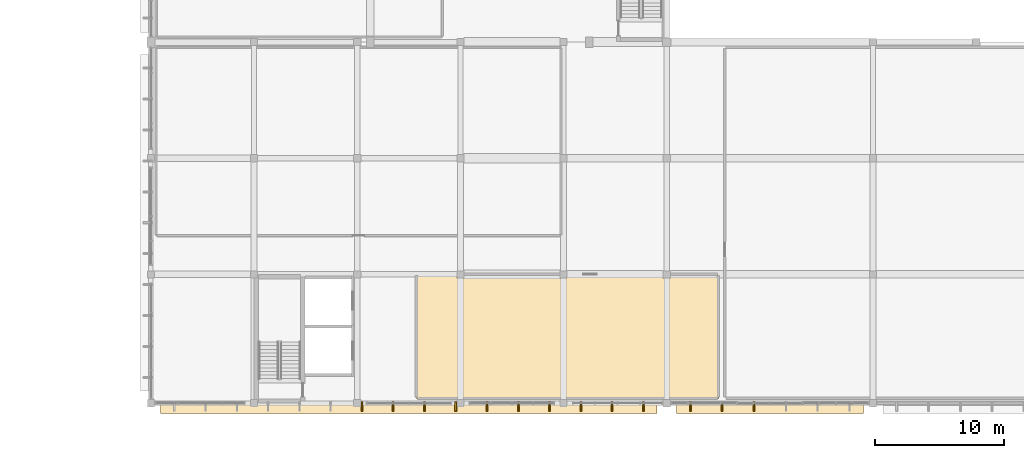
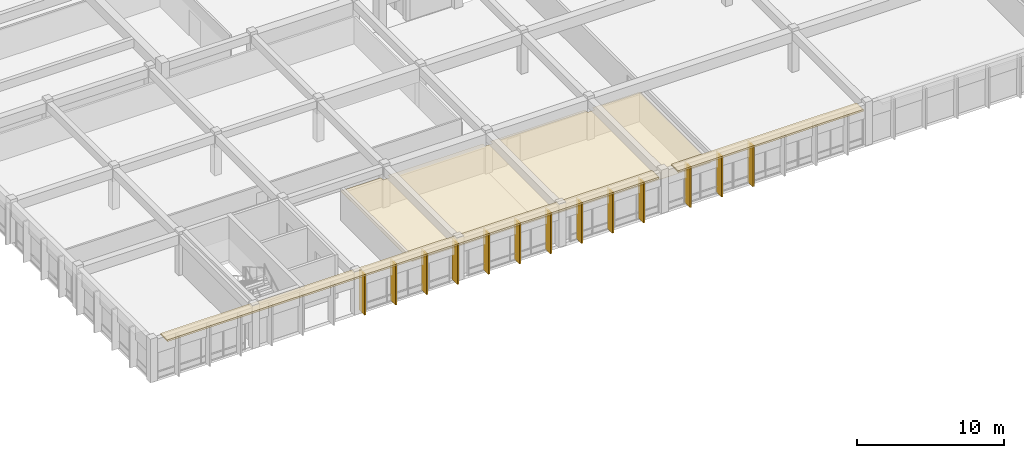
# One storey, part 72 of 77: 16 coverings.
"""IFC4 building model written with IfcOpenShell, lengths in metres."""

from ifc_helpers import new_model, si_unit, direction, frame, origin, origin_2d, place, context, subcontext, project, spatial, polyline, rectangle, outline, extrude, material, layer, layer_set, type_object, element, save


model = new_model("IFC4")

# Units and contexts
model_context = context("Model", 3, precision=1e-05, world=origin(), true_north=direction((0.0, 1.0)))
body_context = subcontext(model_context, "Body", "Model", "MODEL_VIEW")
ifc_project = project(units=[si_unit("LENGTHUNIT", "METRE"), si_unit("AREAUNIT", "SQUARE_METRE"), si_unit("VOLUMEUNIT", "CUBIC_METRE"), si_unit("PLANEANGLEUNIT", "RADIAN"), si_unit("MASSUNIT", "GRAM", prefix="KILO")], contexts=[model_context])

# Site, building, storey
site_placement = place(None, origin())
site = spatial("IfcSite", under=ifc_project, at=site_placement, CompositionType="ELEMENT")
building_placement = place(site_placement, origin())
building = spatial("IfcBuilding", under=site, at=building_placement, Name="Larkveld Mobility Hub", CompositionType="ELEMENT")
storey_placement = place(building_placement, frame((0.0, 0.0, 12.0)))
storey = spatial("IfcBuildingStorey", under=building, at=storey_placement, Name="L03", CompositionType="ELEMENT", Elevation=12.0)

# Coverings
ifc_material_1 = material(Name="Precast concrete C50/60", Category="concrete")
ifc_layer_1 = layer(ifc_material_1, 0.14990234375, Name="Precast concrete C50/60", Category="concrete")
ifc_layer_set_1 = layer_set([ifc_layer_1], Name="Precast concrete C50/60")
covering_type_1 = type_object("IfcCoveringType", Name="COV-QSL-H01", PredefinedType="CLADDING", material=ifc_layer_set_1)
covering_1_placement = place(storey_placement, frame((132.0, -0.340087890625, 3.3701171875), z_axis=(0.0, 0.0, 1.0), x_axis=(1.0, 0.0, 0.0)))
element("IfcCovering", 1, at=covering_1_placement, inside=storey, type_object=covering_type_1, Name="Precast Quebra-Sol Horizontal Sunbreaker QSH-300", PredefinedType="CLADDING", context=body_context, shape_type="SweptSolid", body=[
    extrude(rectangle(XDim=38.5, YDim=0.919921875, at=origin_2d()), origin(), (0.0, 0.0, 1.0), 0.14990234375),
])
covering_2_placement = place(storey_placement, frame((160.0, -0.340087890625, 3.3701171875), z_axis=(0.0, 0.0, 1.0), x_axis=(1.0, 0.0, 0.0)))
element("IfcCovering", 2, at=covering_2_placement, inside=storey, type_object=covering_type_1, Name="Precast Quebra-Sol Horizontal Sunbreaker QSH-317", PredefinedType="CLADDING", context=body_context, shape_type="SweptSolid", body=[
    extrude(rectangle(XDim=14.5, YDim=0.919921875, at=origin_2d()), origin(), (0.0, 0.0, 1.0), 0.14990234375),
])
ifc_layer_2 = layer(ifc_material_1, 0.1201171875, Name="Precast concrete C50/60", Category="concrete")
ifc_layer_set_2 = layer_set([ifc_layer_2], Name="Precast concrete C50/60")
covering_type_2 = type_object("IfcCoveringType", Name="COV-QSL-V01", PredefinedType="CLADDING", material=ifc_layer_set_2)
for number, where, z_axis, x_axis, name in (
    (3, (128.363037109375, -0.239990234375, -0.01953125), (0.0, 0.0, 1.0), (1.0, 0.0, 0.0), "Precast Quebra-Sol Vertical Fin QSV-307"),
    (4, (130.787109375, -0.239990234375, -0.01953125), (0.0, 0.0, 1.0), (1.0, 0.0, 0.0), "Precast Quebra-Sol Vertical Fin QSV-308"),
    (5, (133.212890625, -0.239990234375, -0.01953125), (0.0, 0.0, 1.0), (1.0, 0.0, 0.0), "Precast Quebra-Sol Vertical Fin QSV-309"),
    (6, (135.636962890625, -0.239990234375, -0.01953125), (0.0, 0.0, 1.0), (1.0, 0.0, 0.0), "Precast Quebra-Sol Vertical Fin QSV-310"),
    (7, (138.06201171875, -0.239990234375, -0.01953125), (0.0, 0.0, 1.0), (1.0, 0.0, 0.0), "Precast Quebra-Sol Vertical Fin QSV-311"),
    (8, (140.488037109375, -0.239990234375, -0.01953125), (0.0, 0.0, 1.0), (1.0, 0.0, 0.0), "Precast Quebra-Sol Vertical Fin QSV-312"),
    (9, (142.912109375, -0.239990234375, -0.01953125), (0.0, 0.0, 1.0), (1.0, 0.0, 0.0), "Precast Quebra-Sol Vertical Fin QSV-313"),
    (10, (145.337890625, -0.239990234375, -0.01953125), (0.0, 0.0, 1.0), (1.0, 0.0, 0.0), "Precast Quebra-Sol Vertical Fin QSV-314"),
    (11, (147.761962890625, -0.239990234375, -0.01953125), (0.0, 0.0, 1.0), (1.0, 0.0, 0.0), "Precast Quebra-Sol Vertical Fin QSV-315"),
    (12, (150.18798828125, -0.239990234375, -0.01953125), (0.0, 0.0, 1.0), (1.0, 0.0, 0.0), "Precast Quebra-Sol Vertical Fin QSV-316"),
    (13, (153.8330078125, -0.239990234375, -0.01953125), (0.0, 0.0, 1.0), (1.0, 0.0, 0.0), "Precast Quebra-Sol Vertical Fin QSV-318"),
    (14, (156.300048828125, -0.239990234375, -0.01953125), (0.0, 0.0, 1.0), (1.0, 0.0, 0.0), "Precast Quebra-Sol Vertical Fin QSV-319"),
    (15, (158.76708984375, -0.239990234375, -0.01953125), (0.0, 0.0, 1.0), (1.0, 0.0, 0.0), "Precast Quebra-Sol Vertical Fin QSV-320"),
):
    element("IfcCovering", number, at=place(storey_placement, frame(where, z_axis=z_axis, x_axis=x_axis)), inside=storey, type_object=covering_type_2, Name=name, PredefinedType="CLADDING", context=body_context, shape_type="SweptSolid", body=[
        extrude(rectangle(XDim=0.1201171875, YDim=0.719970703125, at=origin_2d()), origin(), (0.0, 0.0, 1.0), 3.375),
    ])
ifc_material_2 = material(Name="Moisture-resistant gypsum board ceiling", Category="masonry")
ifc_layer_3 = layer(ifc_material_2, 0.02490234375, Name="Moisture-resistant gypsum board ceiling", Category="masonry")
ifc_layer_set_3 = layer_set([ifc_layer_3], Name="Moisture-resistant gypsum board ceiling")
covering_type_3 = type_object("IfcCoveringType", Name="CV-CLG-025", PredefinedType="CEILING", material=ifc_layer_set_3)
covering_3_placement = place(storey_placement, frame((0.0, 0.0, 2.324951171875)))
element("IfcCovering", 16, at=covering_3_placement, inside=storey, type_object=covering_type_3, Name="Transit Network Telemetry Archive Store Acoustic Ceiling 043", PredefinedType="CEILING", context=body_context, shape_type="SweptSolid", body=[
    extrude(outline(polyline([(132.616943359375, 0.3701171875), (132.614013671875, 0.37109375), (132.611083984375, 0.37109375), (132.60888671875, 0.3720703125), (132.60595703125, 0.3740234375), (132.60302734375, 0.375), (132.60107421875, 0.376953125), (132.59912109375, 0.37890625), (132.5791015625, 0.39892578125), (132.576904296875, 0.40087890625), (132.574951171875, 0.403076171875), (132.573974609375, 0.406005859375), (132.572021484375, 0.408935546875), (132.571044921875, 0.410888671875), (132.571044921875, 0.4140625), (132.570068359375, 0.4169921875), (132.570068359375, 0.419921875), (132.570068359375, 9.97998046875), (132.570068359375, 9.98291015625), (132.571044921875, 9.986083984375), (132.571044921875, 9.989013671875), (132.572021484375, 9.990966796875), (132.573974609375, 9.993896484375), (132.574951171875, 9.9970703125), (132.5869140625, 10.014892578125), (132.589111328125, 10.01806640625), (132.591064453125, 10.02001953125), (132.593017578125, 10.02197265625), (132.595947265625, 10.02294921875), (132.597900390625, 10.02490234375), (132.60107421875, 10.02587890625), (132.60400390625, 10.027099609375), (132.60595703125, 10.028076171875), (132.60888671875, 10.028076171875), (132.612060546875, 10.028076171875), (135.719970703125, 10.029052734375), (135.719970703125, 9.719970703125), (136.280029296875, 9.719970703125), (136.280029296875, 10.029052734375), (143.719970703125, 10.029052734375), (143.719970703125, 9.719970703125), (144.280029296875, 9.719970703125), (144.280029296875, 10.029052734375), (151.719970703125, 10.030029296875), (151.719970703125, 9.719970703125), (152.280029296875, 9.719970703125), (152.280029296875, 10.030029296875), (155.97998046875, 10.030029296875), (155.98291015625, 10.030029296875), (155.986083984375, 10.029052734375), (155.989013671875, 10.029052734375), (155.990966796875, 10.028076171875), (155.993896484375, 10.02587890625), (155.9970703125, 10.02490234375), (156.014892578125, 10.012939453125), (156.01806640625, 10.010986328125), (156.02001953125, 10.009033203125), (156.02197265625, 10.007080078125), (156.02294921875, 10.00390625), (156.02490234375, 10.001953125), (156.02587890625, 9.9990234375), (156.027099609375, 9.99609375), (156.028076171875, 9.993896484375), (156.028076171875, 9.990966796875), (156.028076171875, 9.988037109375), (156.030029296875, 0.419921875), (156.030029296875, 0.4169921875), (156.029052734375, 0.4140625), (156.029052734375, 0.410888671875), (156.028076171875, 0.408935546875), (156.02587890625, 0.406005859375), (156.02490234375, 0.403076171875), (156.012939453125, 0.385009765625), (156.010986328125, 0.382080078125), (156.009033203125, 0.3798828125), (156.007080078125, 0.3779296875), (156.00390625, 0.376953125), (156.001953125, 0.375), (155.9990234375, 0.3740234375), (155.99609375, 0.373046875), (155.993896484375, 0.3720703125), (155.990966796875, 0.3720703125), (155.988037109375, 0.3720703125), (132.6201171875, 0.3701171875), (132.616943359375, 0.3701171875)])), origin(), (0.0, 0.0, 1.0), 0.025146484375),
])

save(model, "model.ifc")
